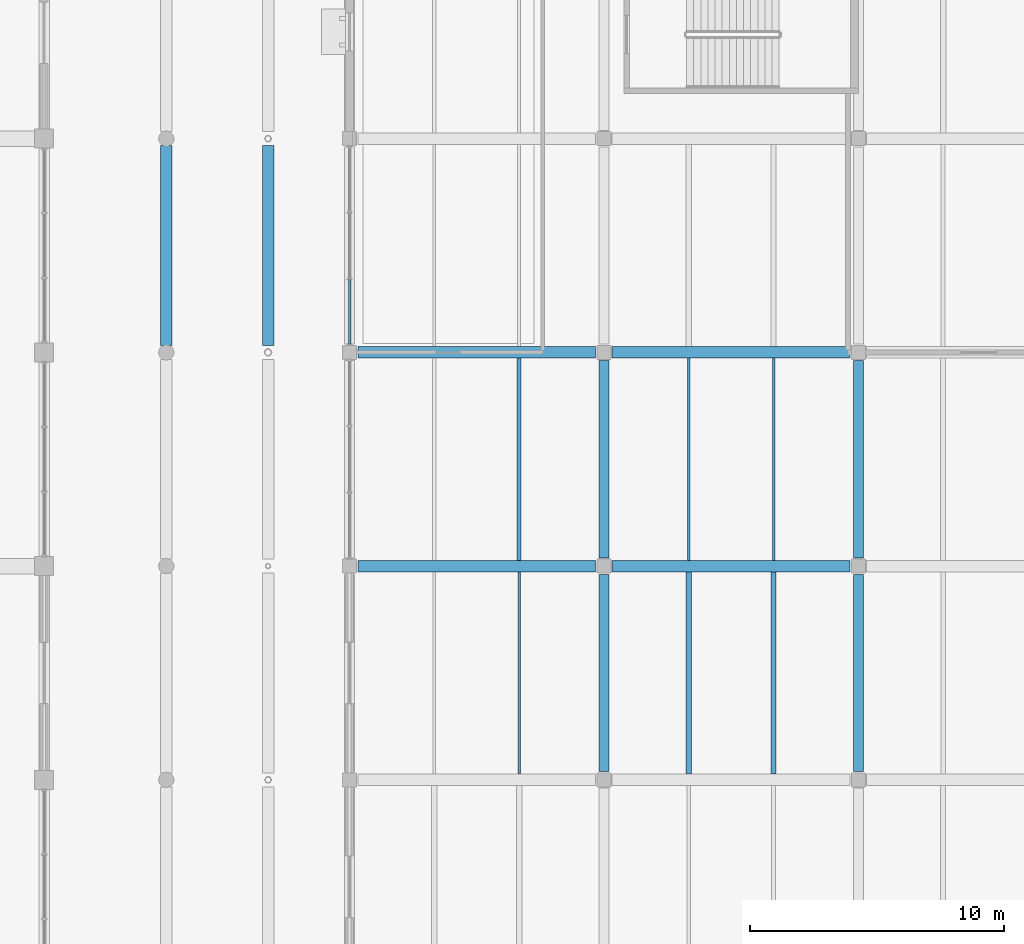
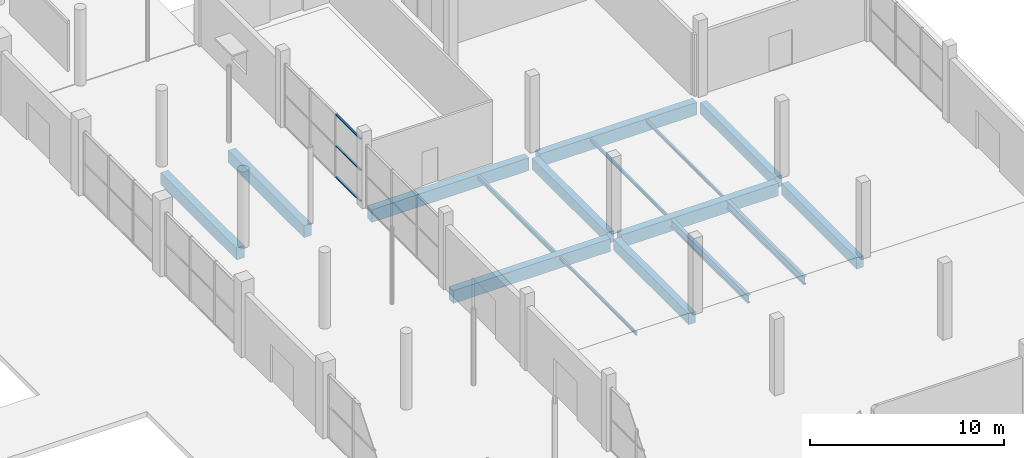
# One storey, part 74 of 130: 16 beams, 3 members, 1 element without a shape of its own.
"""IFC4 building model written with IfcOpenShell, lengths in metres."""

import ifcopenshell
import ifcopenshell.guid

model = None  # the IFC model being written
_history = None  # IfcOwnerHistory: only IFC2X3 demands one
_inside = {}  # id of a spatial element -> (the spatial element, [elements in it])
_under = {}  # id of a project, library or spatial element -> (it, [spatial elements below it])
_declared = {}  # id of a project -> (the project, [libraries it declares])
_typed = {}  # id of a type object -> (the type object, [elements of that type])
_made_of = {}  # id of a material, layer set ... -> (it, [elements and type objects made of it])


def new_model(schema):
    """Start an empty IFC model of exactly this schema.

    Asked for "IFC4X3", IfcOpenShell would pick the latest addendum, in which some entities
    have other attributes; the version numbers below select the first issue.
    IFC2X3 requires an IfcOwnerHistory on every rooted entity: one is made here for all.
    """
    global model, _history
    if schema == "IFC4X3":
        model = ifcopenshell.file(schema_version=(4, 3, 0, 0))
    else:
        model = ifcopenshell.file(schema=schema)
    _inside.clear()
    _under.clear()
    _declared.clear()
    _typed.clear()
    _made_of.clear()
    _history = None
    if model.schema == "IFC2X3":
        org = make("IfcOrganization", Name="unknown")
        user = make(
            "IfcPersonAndOrganization",
            ThePerson=make("IfcPerson", FamilyName="unknown"),
            TheOrganization=org,
        )
        app = make(
            "IfcApplication",
            ApplicationDeveloper=org,
            Version="unknown",
            ApplicationFullName="unknown",
            ApplicationIdentifier="unknown",
        )
        _history = make(
            "IfcOwnerHistory",
            OwningUser=user,
            OwningApplication=app,
            ChangeAction="ADDED",
            CreationDate=0,
        )
    return model


def make(cls, **values):
    """One entity of the class cls with the attributes given. An attribute that is None is left unset."""
    return model.create_entity(
        cls, **{name: value for name, value in values.items() if value is not None}
    )


def rooted(cls, **values):
    """An entity with a GlobalId (a new one), such as an element, a storey or a relation."""
    return make(cls, GlobalId=ifcopenshell.guid.new(), OwnerHistory=_history, **values)


def si_unit(unit_type, name, prefix=None):
    """IfcSIUnit, for example si_unit("LENGTHUNIT", "METRE", prefix="MILLI")."""
    return make("IfcSIUnit", UnitType=unit_type, Prefix=prefix, Name=name)


def assignment(units):
    """IfcUnitAssignment: the units of a project."""
    return None if units is None else make("IfcUnitAssignment", Units=units)


def point(xyz):
    """IfcCartesianPoint."""
    return None if xyz is None else make("IfcCartesianPoint", Coordinates=xyz)


def direction(xyz):
    """IfcDirection."""
    return None if xyz is None else make("IfcDirection", DirectionRatios=xyz)


def frame(location, z_axis=None, x_axis=None):
    """IfcAxis2Placement3D, a coordinate frame: its origin and axes. An axis left out is left unset."""
    return make(
        "IfcAxis2Placement3D",
        Location=point(location),
        Axis=direction(z_axis),
        RefDirection=direction(x_axis),
    )


def frame_2d(location, x_axis=None):
    """IfcAxis2Placement2D, a coordinate frame in the plane: its origin and x axis."""
    return make(
        "IfcAxis2Placement2D", Location=point(location), RefDirection=direction(x_axis)
    )


def origin():
    """The frame at (0, 0, 0) with its axes left unset."""
    return frame((0.0, 0.0, 0.0))


def origin_2d():
    """The frame at (0, 0) in the plane with its x axis left unset."""
    return frame_2d((0.0, 0.0))


def place(relative_to, where):
    """IfcLocalPlacement: puts the frame where relative to a parent placement (None: the world)."""
    return make(
        "IfcLocalPlacement", PlacementRelTo=relative_to, RelativePlacement=where
    )


def context(
    kind, dimensions, precision=None, world=None, true_north=None, identifier=None
):
    """IfcGeometricRepresentationContext, for example the 3D "Model" context."""
    return make(
        "IfcGeometricRepresentationContext",
        ContextIdentifier=identifier,
        ContextType=kind,
        CoordinateSpaceDimension=dimensions,
        Precision=precision,
        WorldCoordinateSystem=world,
        TrueNorth=true_north,
    )


def subcontext(parent, identifier, kind, view, scale=None):
    """IfcGeometricRepresentationSubContext, for example "Body" below "Model"."""
    return make(
        "IfcGeometricRepresentationSubContext",
        ContextIdentifier=identifier,
        ContextType=kind,
        ParentContext=parent,
        TargetScale=scale,
        TargetView=view,
    )


def project(units=None, contexts=None):
    """IfcProject with its units and contexts."""
    return rooted(
        "IfcProject",
        Name="project",
        RepresentationContexts=contexts,
        UnitsInContext=assignment(units),
    )


def spatial(cls, under=None, at=None, **own):
    """A site, building, storey or space (cls), placed at a placement, below another one or the project."""
    s = rooted(cls, ObjectPlacement=at, **own)
    if under is not None:
        _under.setdefault(under.id(), (under, []))[1].append(s)
    return s


def profile(cls, at=None, kind="AREA", **sizes):
    """A parametric profile (cls). Its sizes go by their IFC names, for example OverallWidth=200.0."""
    return make(cls, ProfileType=kind, Position=at, **sizes)


def rectangle(**sizes):
    """IfcRectangleProfileDef."""
    return profile("IfcRectangleProfileDef", **sizes)


def hollow_rectangle(**sizes):
    """IfcRectangleHollowProfileDef."""
    return profile("IfcRectangleHollowProfileDef", **sizes)


def i_section(**sizes):
    """IfcIShapeProfileDef."""
    return profile("IfcIShapeProfileDef", **sizes)


def extrude(swept, where, along, depth):
    """IfcExtrudedAreaSolid: the profile swept, set in the frame where, extruded along a direction by depth."""
    return make(
        "IfcExtrudedAreaSolid",
        SweptArea=swept,
        Position=where,
        ExtrudedDirection=direction(along),
        Depth=depth,
    )


def shape(context_of_items, identifier, shape_type, items):
    """IfcShapeRepresentation: the items that make up one representation, for example the "Body"."""
    return make(
        "IfcShapeRepresentation",
        ContextOfItems=context_of_items,
        RepresentationIdentifier=identifier,
        RepresentationType=shape_type,
        Items=items,
    )


def material(Name=None, Category=None):
    """IfcMaterial."""
    return make("IfcMaterial", Name=Name, Category=Category)


def material_profile(
    of_material, cross_section, Name=None, Category=None, Priority=None
):
    """IfcMaterialProfile: a cross section and its material."""
    return make(
        "IfcMaterialProfile",
        Name=Name,
        Material=of_material,
        Profile=cross_section,
        Priority=Priority,
        Category=Category,
    )


def profile_set(profiles, Name=None, composite=None):
    """IfcMaterialProfileSet."""
    return make(
        "IfcMaterialProfileSet",
        Name=Name,
        MaterialProfiles=profiles,
        CompositeProfile=composite,
    )


def made_of(thing, what):
    """Note that an element or type object is made of a material, layer set ...; save() writes the relation."""
    if what is not None:
        _made_of.setdefault(what.id(), (what, []))[1].append(thing)
    return thing


def type_object(cls, material=None, **own):
    """A type object (cls), such as IfcWallType, which elements share."""
    return made_of(rooted(cls, **own), material)


def element(
    cls,
    number,
    at=None,
    inside=None,
    cuts=None,
    type_object=None,
    material=None,
    context=None,
    identifier="Body",
    shape_type=None,
    held_by="IfcProductDefinitionShape",
    body=None,
    shapes=None,
    **own,
):
    """One element of the class cls, such as IfcWall. Its Tag is "e" and its number.

    at: its placement. inside: the storey or other place that contains it. cuts: it is an
    opening in that element (IfcRelVoidsElement). A single representation is given by context,
    identifier, shape_type and body (its items); several are given by shapes. held_by: the class
    of the entity that holds the representations. save() writes the other relations.
    """
    e = rooted(cls, Tag="e%d" % number, ObjectPlacement=at, **own)
    if body is not None:
        shapes = [shape(context, identifier, shape_type, body)]
    if shapes is not None:
        e.Representation = make(held_by, Representations=shapes)
    if inside is not None:
        _inside.setdefault(inside.id(), (inside, []))[1].append(e)
    if cuts is not None:
        rooted(
            "IfcRelVoidsElement", RelatingBuildingElement=cuts, RelatedOpeningElement=e
        )
    if type_object is not None:
        _typed.setdefault(type_object.id(), (type_object, []))[1].append(e)
    return made_of(e, material)


def aggregate(whole, parts):
    """IfcRelAggregates: a whole, such as a stair, and the parts it consists of."""
    return rooted("IfcRelAggregates", RelatingObject=whole, RelatedObjects=parts)


def save(model, path):
    """Write the relations noted so far, then the file.

    IfcRelAggregates (storeys below a building ...), IfcRelContainedInSpatialStructure (elements
    in a storey), IfcRelDefinesByType, IfcRelAssociatesMaterial and IfcRelDeclares: one each for
    every whole, place, type object, material and project.
    """
    for whole, parts in _under.values():
        aggregate(whole, parts)
    for where, things in _inside.values():
        rooted(
            "IfcRelContainedInSpatialStructure",
            RelatedElements=things,
            RelatingStructure=where,
        )
    for kind, things in _typed.values():
        rooted("IfcRelDefinesByType", RelatedObjects=things, RelatingType=kind)
    for what, things in _made_of.values():
        rooted("IfcRelAssociatesMaterial", RelatedObjects=things, RelatingMaterial=what)
    for by, libraries in _declared.values():
        rooted("IfcRelDeclares", RelatingContext=by, RelatedDefinitions=libraries)
    model.write(path)


model = new_model("IFC4")

# Units and contexts
model_context = context("Model", 3, precision=1e-05, world=origin(), true_north=direction((0.0, 1.0)))
body_context = subcontext(model_context, "Body", "Model", "MODEL_VIEW")
ifc_project = project(units=[si_unit("LENGTHUNIT", "METRE"), si_unit("AREAUNIT", "SQUARE_METRE"), si_unit("VOLUMEUNIT", "CUBIC_METRE"), si_unit("PLANEANGLEUNIT", "RADIAN"), si_unit("MASSUNIT", "GRAM", prefix="KILO"), si_unit("THERMODYNAMICTEMPERATUREUNIT", "KELVIN")], contexts=[model_context])

# Site, building, storey
site_placement = place(None, origin())
site = spatial("IfcSite", under=ifc_project, at=site_placement, CompositionType="ELEMENT")
building_placement = place(site_placement, origin())
building = spatial("IfcBuilding", under=site, at=building_placement, Name="Nduvali Passage Aquatics Centre", CompositionType="ELEMENT")
storey_placement = place(building_placement, origin())
storey = spatial("IfcBuildingStorey", under=building, at=storey_placement, Name="L00", CompositionType="ELEMENT", Elevation=0.0)

# Curtain wall, members
ifc_material_1 = material(Name="Aluminium EN AW-6063 T6", Category="aluminium")
curtain_wall_type = type_object("IfcCurtainWallType", Name="ENV-CW-FOYR", PredefinedType="NOTDEFINED", material=ifc_material_1)
curtain_wall_placement = place(storey_placement, origin())
curtain_wall = element("IfcCurtainWall", 1, at=curtain_wall_placement, inside=storey, type_object=curtain_wall_type, Name="L00 Passage Foyer Ground CW 077", PredefinedType="NOTDEFINED")
ifc_material_profile_1 = material_profile(ifc_material_1, hollow_rectangle(XDim=0.1201171875, YDim=0.06005859375, WallThickness=0.00390625, at=origin_2d()), Name="ALU TRANSOM 120x60x4")
ifc_profile_set_1 = profile_set([ifc_material_profile_1], Name="Aluminium EN AW-6063 T6")
member_type = type_object("IfcMemberType", Name="ENV-MEM-TRN60", PredefinedType="USERDEFINED", material=ifc_profile_set_1)
member_1_placement = place(storey_placement, frame((138.0, 75.93505859375, 0.030029296875), z_axis=(0.0, 1.0, 0.0), x_axis=(-1.0, 0.0, 0.0)))
member_1 = element("IfcMember", 2, at=member_1_placement, type_object=member_type, Name="Passage Foyer Ground CW Transom B1-R0", ObjectType="TRANSOM", PredefinedType="USERDEFINED", context=body_context, shape_type="SweptSolid", body=[
    extrude(hollow_rectangle(XDim=0.1201171875, YDim=0.06005859375, WallThickness=0.00390625, at=origin_2d()), origin(), (0.0, 0.0, 1.0), 2.526611328125),
])
member_2_placement = place(storey_placement, frame((138.0, 75.93505859375, 1.98828125), z_axis=(0.0, 1.0, 0.0), x_axis=(-1.0, 0.0, 0.0)))
member_2 = element("IfcMember", 3, at=member_2_placement, type_object=member_type, Name="Passage Foyer Ground CW Transom B1-R1", ObjectType="TRANSOM", PredefinedType="USERDEFINED", context=body_context, shape_type="SweptSolid", body=[
    extrude(hollow_rectangle(XDim=0.1201171875, YDim=0.06005859375, WallThickness=0.00390625, at=origin_2d()), origin(), (0.0, 0.0, 1.0), 2.526611328125),
])
member_3_placement = place(storey_placement, frame((138.0, 75.93505859375, 3.9462890625), z_axis=(0.0, 1.0, 0.0), x_axis=(-1.0, 0.0, 0.0)))
member_3 = element("IfcMember", 4, at=member_3_placement, type_object=member_type, Name="Passage Foyer Ground CW Transom B1-R2", ObjectType="TRANSOM", PredefinedType="USERDEFINED", context=body_context, shape_type="SweptSolid", body=[
    extrude(hollow_rectangle(XDim=0.1201171875, YDim=0.06005859375, WallThickness=0.00390625, at=origin_2d()), origin(), (0.0, 0.0, 1.0), 2.526611328125),
])
aggregate(curtain_wall, [member_1, member_2, member_3])

# Beams
ifc_material_2 = material(Name="Concrete C40/50", Category="concrete")
ifc_material_profile_2 = material_profile(ifc_material_2, rectangle(XDim=0.39990234375, YDim=0.699951171875, at=origin_2d()), Name="RC 400x700")
ifc_profile_set_2 = profile_set([ifc_material_profile_2], Name="Concrete C40/50")
beam_type_1 = type_object("IfcBeamType", Name="STR-BM-RC4070", PredefinedType="BEAM", material=ifc_profile_set_2)
for number, where, z_axis, x_axis, name in (
    (5, (148.0, 59.125, -0.64990234375), (0.0, 1.0, 0.0), (-1.0, 0.0, 0.0), "L00 Primary Y-Girder B3A-0235"),
    (6, (148.0, 67.52490234375, -0.64990234375), (0.0, 1.0, 0.0), (-1.0, 0.0, 0.0), "L00 Primary Y-Girder B3A-0236"),
    (7, (158.0, 59.125, -0.64990234375), (0.0, 1.0, 0.0), (-1.0, 0.0, 0.0), "L00 Primary Y-Girder B3A-0243"),
    (8, (158.0, 67.52490234375, -0.64990234375), (0.0, 1.0, 0.0), (-1.0, 0.0, 0.0), "L00 Primary Y-Girder B3A-0244"),
):
    element("IfcBeam", number, at=place(storey_placement, frame(where, z_axis=z_axis, x_axis=x_axis)), inside=storey, type_object=beam_type_1, Name=name, PredefinedType="BEAM", context=body_context, shape_type="SweptSolid", body=[
        extrude(rectangle(XDim=0.39990234375, YDim=0.699951171875, at=origin_2d()), origin(), (0.0, 0.0, 1.0), 7.75),
    ])
ifc_material_profile_3 = material_profile(ifc_material_2, rectangle(XDim=0.449951171875, YDim=0.75, at=origin_2d()), Name="RC 450x750")
ifc_profile_set_3 = profile_set([ifc_material_profile_3], Name="Concrete C40/50")
beam_type_2 = type_object("IfcBeamType", Name="STR-BM-RC4575", PredefinedType="BEAM", material=ifc_profile_set_3)
for number, where, z_axis, x_axis, name in (
    (9, (130.800048828125, 75.875, -0.675048828125), (0.0, 1.0, 0.0), (-1.0, 0.0, 0.0), "L00 Primary Y-Girder B3-0210"),
    (10, (134.800048828125, 75.875, -0.675048828125), (0.0, 1.0, 0.0), (-1.0, 0.0, 0.0), "L00 Primary Y-Girder B3-0221"),
):
    element("IfcBeam", number, at=place(storey_placement, frame(where, z_axis=z_axis, x_axis=x_axis)), inside=storey, type_object=beam_type_2, Name=name, PredefinedType="BEAM", context=body_context, shape_type="SweptSolid", body=[
        extrude(rectangle(XDim=0.449951171875, YDim=0.75, at=origin_2d()), origin(), (0.0, 0.0, 1.0), 7.85009765625),
    ])
ifc_material_profile_4 = material_profile(ifc_material_2, rectangle(XDim=0.449951171875, YDim=0.800048828125, at=origin_2d()), Name="RC 450x800")
ifc_profile_set_4 = profile_set([ifc_material_profile_4], Name="Concrete C40/50")
beam_type_3 = type_object("IfcBeamType", Name="STR-BM-RC4580", PredefinedType="BEAM", material=ifc_profile_set_4)
for number, where, z_axis, x_axis, name in (
    (11, (138.324951171875, 67.199951171875, -0.699951171875), (1.0, 0.0, 0.0), (0.0, 1.0, 0.0), "L00 Primary X-Girder B2A-0059"),
    (12, (148.324951171875, 67.199951171875, -0.699951171875), (1.0, 0.0, 0.0), (0.0, 1.0, 0.0), "L00 Primary X-Girder B2A-0060"),
    (13, (138.324951171875, 75.60009765625, -0.699951171875), (1.0, 0.0, 0.0), (0.0, 1.0, 0.0), "L00 Primary X-Girder B2A-0069"),
    (14, (148.324951171875, 75.60009765625, -0.699951171875), (1.0, 0.0, 0.0), (0.0, 1.0, 0.0), "L00 Primary X-Girder B2A-0070"),
):
    element("IfcBeam", number, at=place(storey_placement, frame(where, z_axis=z_axis, x_axis=x_axis)), inside=storey, type_object=beam_type_3, Name=name, PredefinedType="BEAM", context=body_context, shape_type="SweptSolid", body=[
        extrude(rectangle(XDim=0.449951171875, YDim=0.800048828125, at=origin_2d()), origin(), (0.0, 0.0, 1.0), 9.35009765625),
    ])
ifc_material_3 = material(Name="Steel S355", Category="steel")
ifc_material_profile_5 = material_profile(ifc_material_3, i_section(OverallWidth=0.10009765625, OverallDepth=0.199951171875, WebThickness=0.005615234375, FlangeThickness=0.008544921875, FilletRadius=0.011962890625, at=origin_2d()), Name="IPE 200")
ifc_profile_set_5 = profile_set([ifc_material_profile_5], Name="Steel S355")
beam_type_4 = type_object("IfcBeamType", Name="STR-JST-IPE200", PredefinedType="JOIST", material=ifc_profile_set_5)
beam_1_placement = place(storey_placement, frame((144.666748046875, 59.02490234375, -0.404052734375), z_axis=(0.0, 1.0, 0.0), x_axis=(-1.0, 0.0, 0.0)))
element("IfcBeam", 15, at=beam_1_placement, inside=storey, type_object=beam_type_4, Name="L00 Secondary Joist J9A-0348", PredefinedType="JOIST", context=body_context, shape_type="SweptSolid", body=[
    extrude(i_section(OverallWidth=0.10009765625, OverallDepth=0.199951171875, WebThickness=0.005615234375, FlangeThickness=0.008544921875, FilletRadius=0.011962890625, at=origin_2d()), origin(), (0.0, 0.0, 1.0), 7.9501953125),
])
for number, where, z_axis, x_axis, name in (
    (16, (151.333251953125, 67.425048828125, -0.404052734375), (0.0, 1.0, 0.0), (-1.0, 0.0, 0.0), "L00 Secondary Joist J9A-0355"),
    (17, (154.666748046875, 67.425048828125, -0.404052734375), (0.0, 1.0, 0.0), (-1.0, 0.0, 0.0), "L00 Secondary Joist J9A-0356"),
):
    element("IfcBeam", number, at=place(storey_placement, frame(where, z_axis=z_axis, x_axis=x_axis)), inside=storey, type_object=beam_type_4, Name=name, PredefinedType="JOIST", context=body_context, shape_type="SweptSolid", body=[
        extrude(i_section(OverallWidth=0.10009765625, OverallDepth=0.199951171875, WebThickness=0.005615234375, FlangeThickness=0.008544921875, FilletRadius=0.011962890625, at=origin_2d()), origin(), (0.0, 0.0, 1.0), 7.949951171875),
    ])
ifc_material_profile_6 = material_profile(ifc_material_3, i_section(OverallWidth=0.199951171875, OverallDepth=0.5, WebThickness=0.01025390625, FlangeThickness=0.01611328125, FilletRadius=0.02099609375, at=origin_2d()), Name="IPE 500")
ifc_profile_set_6 = profile_set([ifc_material_profile_6], Name="Steel S355")
beam_type_5 = type_object("IfcBeamType", Name="STR-JST-IPE500", PredefinedType="JOIST", material=ifc_profile_set_6)
for number, where, z_axis, x_axis, name in (
    (18, (151.333251953125, 59.02490234375, -0.553955078125), (0.0, 1.0, 0.0), (-1.0, 0.0, 0.0), "L00 Secondary Joist J5A-0349"),
    (19, (154.666748046875, 59.02490234375, -0.553955078125), (0.0, 1.0, 0.0), (-1.0, 0.0, 0.0), "L00 Secondary Joist J5A-0350"),
):
    element("IfcBeam", number, at=place(storey_placement, frame(where, z_axis=z_axis, x_axis=x_axis)), inside=storey, type_object=beam_type_5, Name=name, PredefinedType="JOIST", context=body_context, shape_type="SweptSolid", body=[
        extrude(i_section(OverallWidth=0.199951171875, OverallDepth=0.5, WebThickness=0.01025390625, FlangeThickness=0.01611328125, FilletRadius=0.02099609375, at=origin_2d()), origin(), (0.0, 0.0, 1.0), 7.9501953125),
    ])
ifc_material_profile_7 = material_profile(ifc_material_3, i_section(OverallWidth=0.146484375, OverallDepth=0.256103515625, WebThickness=0.00634765625, FlangeThickness=0.010986328125, FilletRadius=0.007568359375, at=origin_2d()), Name="UKB 254x146x37")
ifc_profile_set_7 = profile_set([ifc_material_profile_7], Name="Steel S355")
beam_type_6 = type_object("IfcBeamType", Name="STR-JST-UKB254", PredefinedType="JOIST", material=ifc_profile_set_7)
beam_2_placement = place(storey_placement, frame((144.666748046875, 67.425048828125, -0.431884765625), z_axis=(0.0, 1.0, 0.0), x_axis=(-1.0, 0.0, 0.0)))
element("IfcBeam", 20, at=beam_2_placement, inside=storey, type_object=beam_type_6, Name="L00 Secondary Joist J4-0354", PredefinedType="JOIST", context=body_context, shape_type="SweptSolid", body=[
    extrude(i_section(OverallWidth=0.146484375, OverallDepth=0.256103515625, WebThickness=0.00634765625, FlangeThickness=0.010986328125, FilletRadius=0.007568359375, at=origin_2d()), origin(), (0.0, 0.0, 1.0), 7.949951171875),
])

save(model, "model.ifc")
